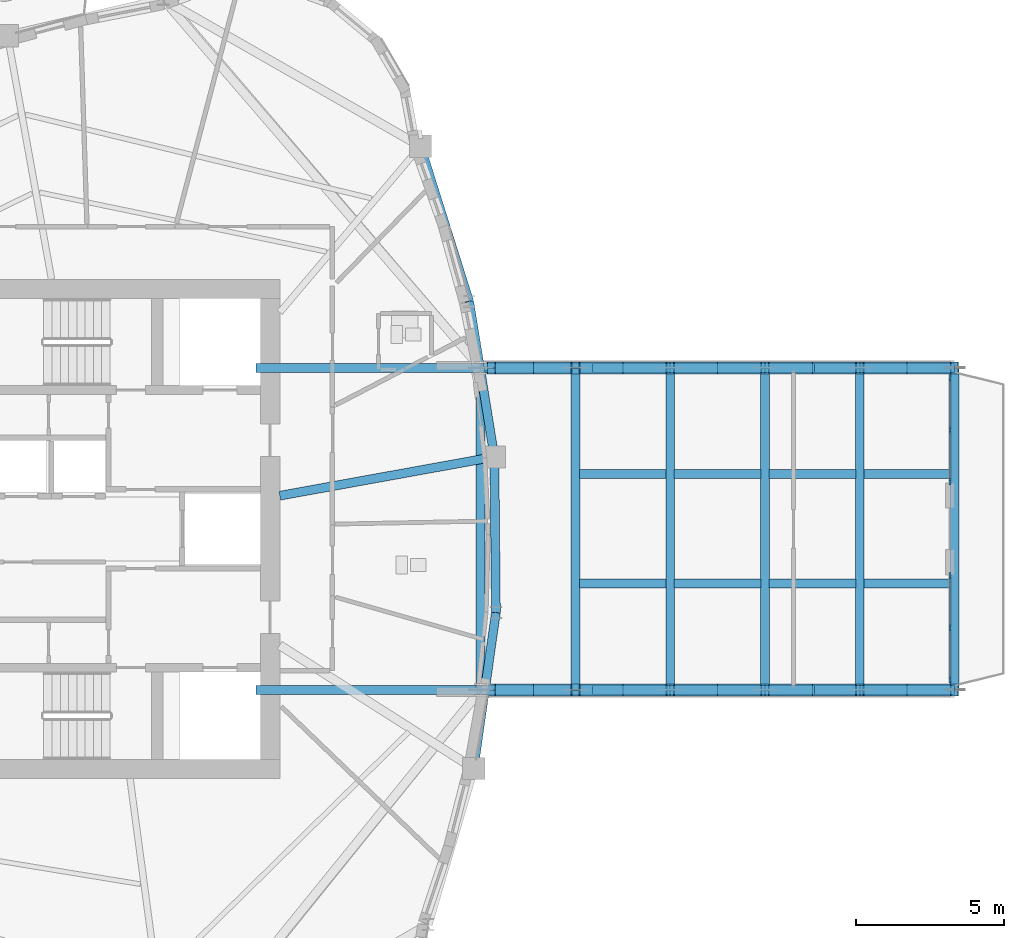
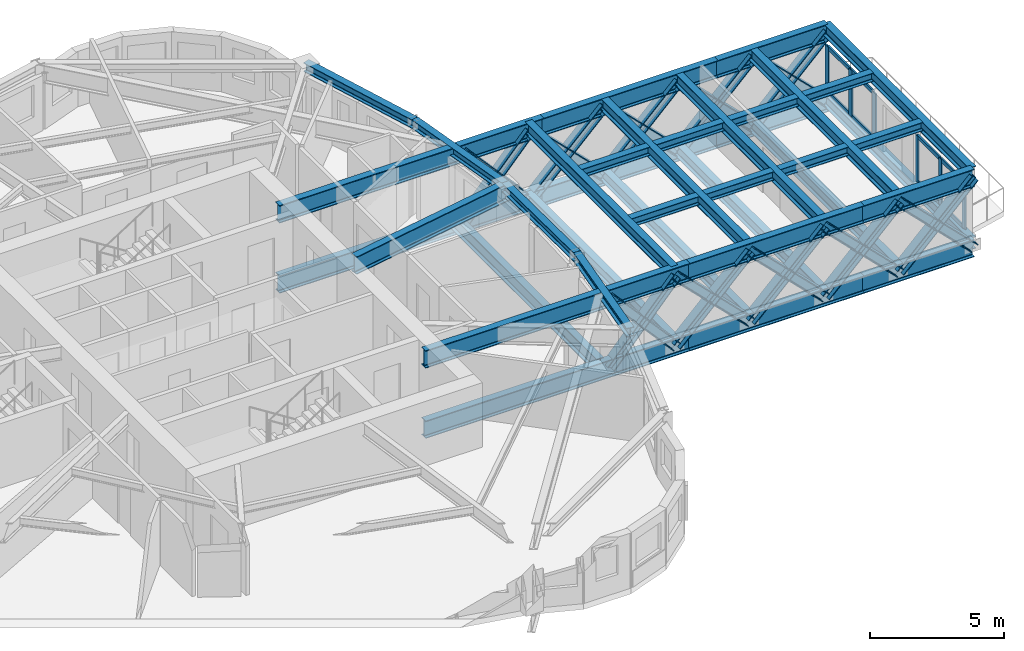
# One storey, part 2 of 13: 35 beams, 35 members, 2 elements without a shape of their own.
"""IFC4 building model written with IfcOpenShell, lengths in metres."""

from ifc_helpers import new_model, si_unit, direction, frame, origin, origin_2d, place, context, subcontext, project, spatial, rectangle, i_section, extrude, source, transform, mapped, material, layer, layer_set, material_profile, profile_set, type_object, element, aggregate, save


model = new_model("IFC4")

# Units and contexts
model_context = context("Model", 3, precision=1e-05, world=origin(), true_north=direction((0.0, 1.0)))
body_context = subcontext(model_context, "Body", "Model", "MODEL_VIEW")
ifc_project = project(units=[si_unit("LENGTHUNIT", "METRE"), si_unit("AREAUNIT", "SQUARE_METRE"), si_unit("VOLUMEUNIT", "CUBIC_METRE"), si_unit("PLANEANGLEUNIT", "RADIAN"), si_unit("MASSUNIT", "GRAM", prefix="KILO")], contexts=[model_context])

# Site, building, storey
site_placement = place(None, origin())
site = spatial("IfcSite", under=ifc_project, at=site_placement, CompositionType="ELEMENT")
building_placement = place(site_placement, origin())
building = spatial("IfcBuilding", under=site, at=building_placement, Name="Qafzar Sky-Pleat Residences", CompositionType="ELEMENT")
storey_placement = place(building_placement, frame((0.0, 0.0, 152.199951171875)))
storey = spatial("IfcBuildingStorey", under=building, at=storey_placement, Name="L45", CompositionType="ELEMENT", Elevation=152.199951171875)

# Beams
ifc_material_1 = material(Name="Steel S355", Category="steel")
ifc_material_profile_1 = material_profile(ifc_material_1, i_section(OverallWidth=0.300048828125, OverallDepth=0.39990234375, WebThickness=0.013427734375, FlangeThickness=0.02392578125, FilletRadius=0.027099609375, at=origin_2d()), Name="HEB 400")
ifc_profile_set_1 = profile_set([ifc_material_profile_1], Name="Steel S355")
beam_type_1 = type_object("IfcBeamType", Name="BM-SPAN-HEB400", PredefinedType="SPANDREL", material=ifc_profile_set_1)
shared_shape_1 = source(origin(), body_context, "Body", "SweptSolid", [
    extrude(i_section(OverallWidth=0.300048828125, OverallDepth=0.39990234375, WebThickness=0.013427734375, FlangeThickness=0.02392578125, FilletRadius=0.027099609375, at=origin_2d()), origin(), (0.0, 0.0, 1.0), 5.508544921875),
])
beam_1_placement = place(storey_placement, frame((42.964111328125, 33.7001953125, 2.733154296875), z_axis=(-0.300093956645, 0.953909648334, 0.0), x_axis=(-0.953909648334, -0.300093956645, 0.0)))
element("IfcBeam", 1, at=beam_1_placement, inside=storey, type_object=beam_type_1, Name="L45 Perimeter Spandrel Beam 12", PredefinedType="SPANDREL", context=body_context, shape_type="MappedRepresentation", body=[
    mapped(shared_shape_1, transform((0.0, 0.0, 0.0), x_axis=(1.0, 0.0, 0.0), y_axis=(0.0, 1.0, 0.0), z_axis=(0.0, 0.0, 1.0), scale=1.0)),
])
shared_shape_2 = source(origin(), body_context, "Body", "SweptSolid", [
    extrude(i_section(OverallWidth=0.300048828125, OverallDepth=0.39990234375, WebThickness=0.013427734375, FlangeThickness=0.02392578125, FilletRadius=0.027099609375, at=origin_2d()), origin(), (0.0, 0.0, 1.0), 5.330810546875),
])
for number, where, z_axis, x_axis, name in (
    (2, (43.11669921875, 17.890380859375, 2.733154296875), (0.140735277871, 0.990047262287, 0.0), (-0.990047262287, 0.140735277871, 0.0), "L45 Perimeter Spandrel Beam 9"),
    (3, (43.81591796875, 28.43798828125, 2.733154296875), (-0.159792544601, 0.987150618037, 0.0), (-0.987150618037, -0.159792544601, 0.0), "L45 Perimeter Spandrel Beam 11"),
):
    element("IfcBeam", number, at=place(storey_placement, frame(where, z_axis=z_axis, x_axis=x_axis)), inside=storey, type_object=beam_type_1, Name=name, PredefinedType="SPANDREL", context=body_context, shape_type="MappedRepresentation", body=[
        mapped(shared_shape_2, transform((0.0, 0.0, 0.0), x_axis=(1.0, 0.0, 0.0), y_axis=(0.0, 1.0, 0.0), z_axis=(0.0, 0.0, 1.0), scale=1.0)),
    ])
shared_shape_3 = source(origin(), body_context, "Body", "SweptSolid", [
    extrude(i_section(OverallWidth=0.300048828125, OverallDepth=0.39990234375, WebThickness=0.013427734375, FlangeThickness=0.02392578125, FilletRadius=0.027099609375, at=origin_2d()), origin(), (0.0, 0.0, 1.0), 5.27001953125),
])
beam_2_placement = place(storey_placement, frame((43.866943359375, 23.168212890625, 2.733154296875), z_axis=(-0.009682196128, 0.999953126441, 0.0), x_axis=(-0.999953126441, -0.009682196128, 0.0)))
element("IfcBeam", 4, at=beam_2_placement, inside=storey, type_object=beam_type_1, Name="L45 Perimeter Spandrel Beam 10", PredefinedType="SPANDREL", context=body_context, shape_type="MappedRepresentation", body=[
    mapped(shared_shape_3, transform((0.0, 0.0, 0.0), x_axis=(1.0, 0.0, 0.0), y_axis=(0.0, 1.0, 0.0), z_axis=(0.0, 0.0, 1.0), scale=1.0)),
])
ifc_material_2 = material(Name="Steel S460", Category="steel")
ifc_material_profile_2 = material_profile(ifc_material_2, i_section(OverallWidth=0.300048828125, OverallDepth=0.800048828125, WebThickness=0.017578125, FlangeThickness=0.032958984375, FilletRadius=0.030029296875, at=origin_2d()), Name="HEB 800")
ifc_profile_set_2 = profile_set([ifc_material_profile_2], Name="Steel S460")
beam_type_2 = type_object("IfcBeamType", Name="BM-CHORD-HEB800", PredefinedType="BEAM", material=ifc_profile_set_2)
shared_shape_4 = source(origin(), body_context, "Body", "SweptSolid", [
    extrude(i_section(OverallWidth=0.300048828125, OverallDepth=0.800048828125, WebThickness=0.017578125, FlangeThickness=0.032958984375, FilletRadius=0.030029296875, at=origin_2d()), origin(), (0.0, 0.0, 1.0), 7.384033203125),
])
beam_3_placement = place(storey_placement, frame((43.81591796875, 28.43798828125, 2.532958984375), z_axis=(-0.98400400276, -0.178146351496, 0.0), x_axis=(0.178146351496, -0.98400400276, 0.0)))
element("IfcBeam", 5, at=beam_3_placement, inside=storey, type_object=beam_type_2, Name="L45 Radial Floor Girder 11", PredefinedType="BEAM", context=body_context, shape_type="MappedRepresentation", body=[
    mapped(shared_shape_4, transform((0.0, 0.0, 0.0), x_axis=(1.0, 0.0, 0.0), y_axis=(0.0, 1.0, 0.0), z_axis=(0.0, 0.0, 1.0), scale=1.0)),
])
shared_shape_5 = source(origin(), body_context, "Body", "SweptSolid", [
    extrude(i_section(OverallWidth=0.300048828125, OverallDepth=0.800048828125, WebThickness=0.017578125, FlangeThickness=0.032958984375, FilletRadius=0.030029296875, at=origin_2d()), origin(), (0.0, 0.0, 1.0), 11.405029296875),
])
for number, where, z_axis, x_axis, name in (
    (6, (35.75, 31.449951171875, 2.532958984375), (1.0, 0.0, 0.0), (0.0, 1.0, 0.0), "L45 SB-4 Truss Chord L1"),
    (7, (35.75, 31.449951171875, -0.6669921875), (1.0, 0.0, 0.0), (0.0, 1.0, 0.0), "L45 SB-4 Bottom Chord L1"),
    (8, (35.75, 20.550048828125, 2.532958984375), (1.0, 0.0, 0.0), (0.0, 1.0, 0.0), "L45 SB-4 Truss Chord R1"),
    (9, (35.75, 20.550048828125, -0.6669921875), (1.0, 0.0, 0.0), (0.0, 1.0, 0.0), "L45 SB-4 Bottom Chord R1"),
):
    element("IfcBeam", number, at=place(storey_placement, frame(where, z_axis=z_axis, x_axis=x_axis)), inside=storey, type_object=beam_type_2, Name=name, PredefinedType="BEAM", context=body_context, shape_type="MappedRepresentation", body=[
        mapped(shared_shape_5, transform((0.0, 0.0, 0.0), x_axis=(1.0, 0.0, 0.0), y_axis=(0.0, 1.0, 0.0), z_axis=(0.0, 0.0, 1.0), scale=1.0)),
    ])
shared_shape_6 = source(origin(), body_context, "Body", "SweptSolid", [
    extrude(i_section(OverallWidth=0.300048828125, OverallDepth=0.800048828125, WebThickness=0.017578125, FlangeThickness=0.032958984375, FilletRadius=0.030029296875, at=origin_2d()), origin(), (0.0, 0.0, 1.0), 7.510009765625),
])
for number, where, z_axis, x_axis, name in (
    (10, (47.14501953125, 31.449951171875, 2.532958984375), (1.0, 0.0, 0.0), (0.0, 1.0, 0.0), "L45 SB-4 Truss Chord L2"),
    (11, (47.14501953125, 31.449951171875, -0.6669921875), (1.0, 0.0, 0.0), (0.0, 1.0, 0.0), "L45 SB-4 Bottom Chord L2"),
    (12, (47.14501953125, 20.550048828125, 2.532958984375), (1.0, 0.0, 0.0), (0.0, 1.0, 0.0), "L45 SB-4 Truss Chord R2"),
    (13, (47.14501953125, 20.550048828125, -0.6669921875), (1.0, 0.0, 0.0), (0.0, 1.0, 0.0), "L45 SB-4 Bottom Chord R2"),
):
    element("IfcBeam", number, at=place(storey_placement, frame(where, z_axis=z_axis, x_axis=x_axis)), inside=storey, type_object=beam_type_2, Name=name, PredefinedType="BEAM", context=body_context, shape_type="MappedRepresentation", body=[
        mapped(shared_shape_6, transform((0.0, 0.0, 0.0), x_axis=(1.0, 0.0, 0.0), y_axis=(0.0, 1.0, 0.0), z_axis=(0.0, 0.0, 1.0), scale=1.0)),
    ])
shared_shape_7 = source(origin(), body_context, "Body", "SweptSolid", [
    extrude(i_section(OverallWidth=0.300048828125, OverallDepth=0.800048828125, WebThickness=0.017578125, FlangeThickness=0.032958984375, FilletRadius=0.030029296875, at=origin_2d()), origin(), (0.0, 0.0, 1.0), 4.74755859375),
])
for number, where, z_axis, x_axis, name in (
    (14, (54.64501953125, 31.449951171875, 2.532958984375), (1.0, 0.0, 0.0), (0.0, 1.0, 0.0), "L45 SB-4 Truss Chord L3"),
    (15, (54.64501953125, 31.449951171875, -0.6669921875), (1.0, 0.0, 0.0), (0.0, 1.0, 0.0), "L45 SB-4 Bottom Chord L3"),
    (16, (54.64501953125, 20.550048828125, 2.532958984375), (1.0, 0.0, 0.0), (0.0, 1.0, 0.0), "L45 SB-4 Truss Chord R3"),
    (17, (54.64501953125, 20.550048828125, -0.6669921875), (1.0, 0.0, 0.0), (0.0, 1.0, 0.0), "L45 SB-4 Bottom Chord R3"),
):
    element("IfcBeam", number, at=place(storey_placement, frame(where, z_axis=z_axis, x_axis=x_axis)), inside=storey, type_object=beam_type_2, Name=name, PredefinedType="BEAM", context=body_context, shape_type="MappedRepresentation", body=[
        mapped(shared_shape_7, transform((0.0, 0.0, 0.0), x_axis=(1.0, 0.0, 0.0), y_axis=(0.0, 1.0, 0.0), z_axis=(0.0, 0.0, 1.0), scale=1.0)),
    ])

# Members
ifc_material_profile_3 = material_profile(ifc_material_2, i_section(OverallWidth=0.300048828125, OverallDepth=0.64990234375, WebThickness=0.01611328125, FlangeThickness=0.031005859375, FilletRadius=0.027099609375, at=origin_2d()), Name="HEB 650")
ifc_profile_set_3 = profile_set([ifc_material_profile_3], Name="Steel S460")
member_type_1 = type_object("IfcMemberType", Name="MEM-SB-CHORD", PredefinedType="CHORD", material=ifc_profile_set_3)
shared_shape_8 = source(origin(), body_context, "Body", "SweptSolid", [
    extrude(i_section(OverallWidth=0.300048828125, OverallDepth=0.64990234375, WebThickness=0.01611328125, FlangeThickness=0.031005859375, FilletRadius=0.027099609375, at=origin_2d()), origin(), (0.0, 0.0, 1.0), 10.89990234375),
])
member_1_placement = place(storey_placement, frame((43.35009765625, 31.449951171875, -0.47705078125), z_axis=(0.0, -1.0, 0.0), x_axis=(1.0, 0.0, 0.0)))
element("IfcMember", 18, at=member_1_placement, inside=storey, type_object=member_type_1, Name="L45 SB-4 Truss Root Tie Chord", PredefinedType="CHORD", context=body_context, shape_type="MappedRepresentation", body=[
    mapped(shared_shape_8, transform((0.0, 0.0, 0.0), x_axis=(1.0, 0.0, 0.0), y_axis=(0.0, 1.0, 0.0), z_axis=(0.0, 0.0, 1.0), scale=1.0)),
])
ifc_material_profile_4 = material_profile(ifc_material_2, i_section(OverallWidth=0.40087890625, OverallDepth=0.39892578125, WebThickness=0.02294921875, FlangeThickness=0.035888671875, FilletRadius=0.014892578125, at=origin_2d()), Name="HD 400x314")
ifc_profile_set_4 = profile_set([ifc_material_profile_4], Name="Steel S460")
member_type_2 = type_object("IfcMemberType", Name="MEM-SB-DIAG", PredefinedType="BRACE", material=ifc_profile_set_4)
shared_shape_9 = source(origin(), body_context, "Body", "SweptSolid", [
    extrude(i_section(OverallWidth=0.40087890625, OverallDepth=0.39892578125, WebThickness=0.02294921875, FlangeThickness=0.035888671875, FilletRadius=0.014892578125, at=origin_2d()), origin(), (0.0, 0.0, 1.0), 4.2841796875),
])
for number, where, z_axis, x_axis, name in (
    (19, (43.7099609375, 31.449951171875, -0.6669921875), (0.664915441782, 0.0, 0.746918640335), (0.0, 1.0, 0.0), "L45 SB-4 Truss Web Diagonal L1A"),
    (20, (43.7099609375, 31.449951171875, 2.532958984375), (0.664915441782, 0.0, -0.746918640335), (0.0, 1.0, 0.0), "L45 SB-4 Truss Web Diagonal L1B"),
    (21, (43.7099609375, 20.550048828125, -0.6669921875), (0.664915441782, 0.0, 0.746918640335), (0.0, 1.0, 0.0), "L45 SB-4 Truss Web Diagonal R1A"),
    (22, (43.7099609375, 20.550048828125, 2.532958984375), (0.664915441782, 0.0, -0.746918640335), (0.0, 1.0, 0.0), "L45 SB-4 Truss Web Diagonal R1B"),
):
    element("IfcMember", number, at=place(storey_placement, frame(where, z_axis=z_axis, x_axis=x_axis)), inside=storey, type_object=member_type_2, Name=name, PredefinedType="BRACE", context=body_context, shape_type="MappedRepresentation", body=[
        mapped(shared_shape_9, transform((0.0, 0.0, 0.0), x_axis=(1.0, 0.0, 0.0), y_axis=(0.0, 1.0, 0.0), z_axis=(0.0, 0.0, 1.0), scale=1.0)),
    ])
shared_shape_10 = source(origin(), body_context, "Body", "SweptSolid", [
    extrude(i_section(OverallWidth=0.40087890625, OverallDepth=0.39892578125, WebThickness=0.02294921875, FlangeThickness=0.035888671875, FilletRadius=0.014892578125, at=origin_2d()), origin(), (0.0, 0.0, 1.0), 4.531494140625),
])
for number, where, z_axis, x_axis, name in (
    (23, (46.55859375, 31.449951171875, -0.6669921875), (0.708048996721, 0.0, 0.706163308479), (0.0, 1.0, 0.0), "L45 SB-4 Truss Web Diagonal L2A"),
    (24, (46.55859375, 31.449951171875, 2.532958984375), (0.708048996721, 0.0, -0.706163308479), (0.0, 1.0, 0.0), "L45 SB-4 Truss Web Diagonal L2B"),
    (25, (49.76708984375, 31.449951171875, -0.6669921875), (0.708048996721, 0.0, 0.706163308479), (0.0, 1.0, 0.0), "L45 SB-4 Truss Web Diagonal L3A"),
    (26, (49.76708984375, 31.449951171875, 2.532958984375), (0.708048996721, 0.0, -0.706163308479), (0.0, 1.0, 0.0), "L45 SB-4 Truss Web Diagonal L3B"),
    (27, (52.9755859375, 31.449951171875, -0.6669921875), (0.708048996721, 0.0, 0.706163308479), (0.0, 1.0, 0.0), "L45 SB-4 Truss Web Diagonal L4A"),
    (28, (52.9755859375, 31.449951171875, 2.532958984375), (0.708048996721, 0.0, -0.706163308479), (0.0, 1.0, 0.0), "L45 SB-4 Truss Web Diagonal L4B"),
    (29, (56.18408203125, 31.449951171875, -0.6669921875), (0.708048996721, 0.0, 0.706163308479), (0.0, 1.0, 0.0), "L45 SB-4 Truss Web Diagonal L5A"),
    (30, (56.18408203125, 31.449951171875, 2.532958984375), (0.708048996721, 0.0, -0.706163308479), (0.0, 1.0, 0.0), "L45 SB-4 Truss Web Diagonal L5B"),
    (31, (46.55859375, 20.550048828125, -0.6669921875), (0.708048996721, 0.0, 0.706163308479), (0.0, 1.0, 0.0), "L45 SB-4 Truss Web Diagonal R2A"),
    (32, (46.55859375, 20.550048828125, 2.532958984375), (0.708048996721, 0.0, -0.706163308479), (0.0, 1.0, 0.0), "L45 SB-4 Truss Web Diagonal R2B"),
    (33, (49.76708984375, 20.550048828125, -0.6669921875), (0.708048996721, 0.0, 0.706163308479), (0.0, 1.0, 0.0), "L45 SB-4 Truss Web Diagonal R3A"),
    (34, (49.76708984375, 20.550048828125, 2.532958984375), (0.708048996721, 0.0, -0.706163308479), (0.0, 1.0, 0.0), "L45 SB-4 Truss Web Diagonal R3B"),
    (35, (52.9755859375, 20.550048828125, -0.6669921875), (0.708048996721, 0.0, 0.706163308479), (0.0, 1.0, 0.0), "L45 SB-4 Truss Web Diagonal R4A"),
    (36, (52.9755859375, 20.550048828125, 2.532958984375), (0.708048996721, 0.0, -0.706163308479), (0.0, 1.0, 0.0), "L45 SB-4 Truss Web Diagonal R4B"),
    (37, (56.18408203125, 20.550048828125, -0.6669921875), (0.708048996721, 0.0, 0.706163308479), (0.0, 1.0, 0.0), "L45 SB-4 Truss Web Diagonal R5A"),
    (38, (56.18408203125, 20.550048828125, 2.532958984375), (0.708048996721, 0.0, -0.706163308479), (0.0, 1.0, 0.0), "L45 SB-4 Truss Web Diagonal R5B"),
):
    element("IfcMember", number, at=place(storey_placement, frame(where, z_axis=z_axis, x_axis=x_axis)), inside=storey, type_object=member_type_2, Name=name, PredefinedType="BRACE", context=body_context, shape_type="MappedRepresentation", body=[
        mapped(shared_shape_10, transform((0.0, 0.0, 0.0), x_axis=(1.0, 0.0, 0.0), y_axis=(0.0, 1.0, 0.0), z_axis=(0.0, 0.0, 1.0), scale=1.0)),
    ])

# Beams
ifc_material_profile_5 = material_profile(ifc_material_1, i_section(OverallWidth=0.300048828125, OverallDepth=0.550048828125, WebThickness=0.014892578125, FlangeThickness=0.029052734375, FilletRadius=0.027099609375, at=origin_2d()), Name="HEB 550")
ifc_profile_set_5 = profile_set([ifc_material_profile_5], Name="Steel S355")
beam_type_3 = type_object("IfcBeamType", Name="BM-GIRD-HEB550", PredefinedType="BEAM", material=ifc_profile_set_5)
shared_shape_11 = source(origin(), body_context, "Body", "SweptSolid", [
    extrude(i_section(OverallWidth=0.300048828125, OverallDepth=0.550048828125, WebThickness=0.014892578125, FlangeThickness=0.029052734375, FilletRadius=0.027099609375, at=origin_2d()), origin(), (0.0, 0.0, 1.0), 10.89990234375),
])
for number, where, z_axis, x_axis, name in (
    (39, (46.55859375, 31.449951171875, 2.657958984375), (0.0, -1.0, 0.0), (1.0, 0.0, 0.0), "L45 SB-4 Transverse Girder 1"),
    (40, (46.55859375, 31.449951171875, -0.5419921875), (0.0, -1.0, 0.0), (1.0, 0.0, 0.0), "L45 SB-4 Bottom Transverse Girder 1"),
    (41, (49.76708984375, 31.449951171875, 2.657958984375), (0.0, -1.0, 0.0), (1.0, 0.0, 0.0), "L45 SB-4 Transverse Girder 2"),
    (42, (49.76708984375, 31.449951171875, -0.5419921875), (0.0, -1.0, 0.0), (1.0, 0.0, 0.0), "L45 SB-4 Bottom Transverse Girder 2"),
    (43, (52.9755859375, 31.449951171875, 2.657958984375), (0.0, -1.0, 0.0), (1.0, 0.0, 0.0), "L45 SB-4 Transverse Girder 3"),
    (44, (52.9755859375, 31.449951171875, -0.5419921875), (0.0, -1.0, 0.0), (1.0, 0.0, 0.0), "L45 SB-4 Bottom Transverse Girder 3"),
    (45, (56.18408203125, 31.449951171875, 2.657958984375), (0.0, -1.0, 0.0), (1.0, 0.0, 0.0), "L45 SB-4 Transverse Girder 4"),
    (46, (56.18408203125, 31.449951171875, -0.5419921875), (0.0, -1.0, 0.0), (1.0, 0.0, 0.0), "L45 SB-4 Bottom Transverse Girder 4"),
    (47, (59.392578125, 31.449951171875, 2.657958984375), (0.0, -1.0, 0.0), (1.0, 0.0, 0.0), "L45 SB-4 Transverse Girder 5"),
    (48, (59.392578125, 31.449951171875, -0.5419921875), (0.0, -1.0, 0.0), (1.0, 0.0, 0.0), "L45 SB-4 Bottom Transverse Girder 5"),
):
    element("IfcBeam", number, at=place(storey_placement, frame(where, z_axis=z_axis, x_axis=x_axis)), inside=storey, type_object=beam_type_3, Name=name, PredefinedType="BEAM", context=body_context, shape_type="MappedRepresentation", body=[
        mapped(shared_shape_11, transform((0.0, 0.0, 0.0), x_axis=(1.0, 0.0, 0.0), y_axis=(0.0, 1.0, 0.0), z_axis=(0.0, 0.0, 1.0), scale=1.0)),
    ])
ifc_material_profile_6 = material_profile(ifc_material_1, i_section(OverallWidth=0.300048828125, OverallDepth=0.389892578125, WebThickness=0.010986328125, FlangeThickness=0.01904296875, FilletRadius=0.027099609375, at=origin_2d()), Name="HEA 400")
ifc_profile_set_6 = profile_set([ifc_material_profile_6], Name="Steel S355")
beam_type_4 = type_object("IfcBeamType", Name="BM-SBJ-HEA400", PredefinedType="JOIST", material=ifc_profile_set_6)
shared_shape_12 = source(origin(), body_context, "Body", "SweptSolid", [
    extrude(i_section(OverallWidth=0.300048828125, OverallDepth=0.389892578125, WebThickness=0.010986328125, FlangeThickness=0.01904296875, FilletRadius=0.027099609375, at=origin_2d()), origin(), (0.0, 0.0, 1.0), 2.9384765625),
])
for number, where, z_axis, x_axis, name in (
    (49, (46.693603515625, 24.14697265625, 2.738037109375), (1.0, 0.0, 0.0), (0.0, 1.0, 0.0), "L45 SB-4 Sky-Bar Secondary Deck Joist 2.1"),
    (50, (46.693603515625, 27.85302734375, 2.738037109375), (1.0, 0.0, 0.0), (0.0, 1.0, 0.0), "L45 SB-4 Sky-Bar Secondary Deck Joist 2.2"),
    (51, (49.902099609375, 24.14697265625, 2.738037109375), (1.0, 0.0, 0.0), (0.0, 1.0, 0.0), "L45 SB-4 Sky-Bar Secondary Deck Joist 3.1"),
    (52, (49.902099609375, 27.85302734375, 2.738037109375), (1.0, 0.0, 0.0), (0.0, 1.0, 0.0), "L45 SB-4 Sky-Bar Secondary Deck Joist 3.2"),
    (53, (53.110595703125, 24.14697265625, 2.738037109375), (1.0, 0.0, 0.0), (0.0, 1.0, 0.0), "L45 SB-4 Sky-Bar Secondary Deck Joist 4.1"),
    (54, (53.110595703125, 27.85302734375, 2.738037109375), (1.0, 0.0, 0.0), (0.0, 1.0, 0.0), "L45 SB-4 Sky-Bar Secondary Deck Joist 4.2"),
    (55, (56.319091796875, 24.14697265625, 2.738037109375), (1.0, 0.0, 0.0), (0.0, 1.0, 0.0), "L45 SB-4 Sky-Bar Secondary Deck Joist 5.1"),
    (56, (56.319091796875, 27.85302734375, 2.738037109375), (1.0, 0.0, 0.0), (0.0, 1.0, 0.0), "L45 SB-4 Sky-Bar Secondary Deck Joist 5.2"),
):
    element("IfcBeam", number, at=place(storey_placement, frame(where, z_axis=z_axis, x_axis=x_axis)), inside=storey, type_object=beam_type_4, Name=name, PredefinedType="JOIST", context=body_context, shape_type="MappedRepresentation", body=[
        mapped(shared_shape_12, transform((0.0, 0.0, 0.0), x_axis=(1.0, 0.0, 0.0), y_axis=(0.0, 1.0, 0.0), z_axis=(0.0, 0.0, 1.0), scale=1.0)),
    ])

# Curtain wall, members
ifc_material_3 = material(Name="Anodised bronze aluminium framing", Category="aluminium")
ifc_layer_1 = layer(ifc_material_3, 0.239990234375)
ifc_layer_set_1 = layer_set([ifc_layer_1], Name="Anodised bronze aluminium framing")
curtain_wall_type_1 = type_object("IfcCurtainWallType", Name="CW-SYS-02", PredefinedType="NOTDEFINED", material=ifc_layer_set_1)
curtain_wall_1_placement = place(storey_placement, origin())
curtain_wall_1 = element("IfcCurtainWall", 57, at=curtain_wall_1_placement, inside=storey, type_object=curtain_wall_type_1, Name="L45 CW-02 Curtain Wall CW-L45-SB-4-PROW-L", PredefinedType="NOTDEFINED")
ifc_material_4 = material(Name="Anodised bronze aluminium", Category="aluminium")
ifc_material_profile_7 = material_profile(ifc_material_4, rectangle(XDim=0.074951171875, YDim=0.239990234375, at=origin_2d()), Name="ALU MULLION 75x240")
ifc_profile_set_7 = profile_set([ifc_material_profile_7], Name="Anodised bronze aluminium")
member_type_3 = type_object("IfcMemberType", Name="CWM-02", PredefinedType="MULLION", material=ifc_profile_set_7)
shared_shape_13 = source(origin(), body_context, "Body", "SweptSolid", [
    extrude(rectangle(XDim=0.074951171875, YDim=0.239990234375, at=origin_2d()), origin(), (0.0, 0.0, 1.0), 2.114990234375),
])
member_2_placement = place(storey_placement, frame((59.24267578125, 31.1025390625, 0.0), z_axis=(0.0, 0.0, 1.0), x_axis=(1.0, 0.0, 0.0)))
member_2 = element("IfcMember", 58, at=member_2_placement, type_object=member_type_3, Name="CW-02 mullion 1", PredefinedType="MULLION", context=body_context, shape_type="MappedRepresentation", body=[
    mapped(shared_shape_13, transform((0.0, 0.0, 0.0), x_axis=(1.0, 0.0, 0.0), y_axis=(0.0, 1.0, 0.0), z_axis=(0.0, 0.0, 1.0), scale=1.0)),
])
member_3_placement = place(storey_placement, frame((59.24267578125, 29.35009765625, 0.0), z_axis=(0.0, 0.0, 1.0), x_axis=(1.0, 0.0, 0.0)))
member_3 = element("IfcMember", 59, at=member_3_placement, type_object=member_type_3, Name="CW-02 mullion 2", PredefinedType="MULLION", context=body_context, shape_type="MappedRepresentation", body=[
    mapped(shared_shape_13, transform((0.0, 0.0, 0.0), x_axis=(1.0, 0.0, 0.0), y_axis=(0.0, 1.0, 0.0), z_axis=(0.0, 0.0, 1.0), scale=1.0)),
])
member_4_placement = place(storey_placement, frame((59.24267578125, 27.597412109375, 0.0), z_axis=(0.0, 0.0, 1.0), x_axis=(1.0, 0.0, 0.0)))
member_4 = element("IfcMember", 60, at=member_4_placement, type_object=member_type_3, Name="CW-02 mullion 3", PredefinedType="MULLION", context=body_context, shape_type="MappedRepresentation", body=[
    mapped(shared_shape_13, transform((0.0, 0.0, 0.0), x_axis=(1.0, 0.0, 0.0), y_axis=(0.0, 1.0, 0.0), z_axis=(0.0, 0.0, 1.0), scale=1.0)),
])

ifc_layer_2 = layer(ifc_material_3, 0.219970703125)
ifc_layer_set_2 = layer_set([ifc_layer_2], Name="Anodised bronze aluminium framing")
curtain_wall_type_2 = type_object("IfcCurtainWallType", Name="CW-SYS-03", PredefinedType="NOTDEFINED", material=ifc_layer_set_2)
curtain_wall_2_placement = place(storey_placement, origin())
curtain_wall_2 = element("IfcCurtainWall", 61, at=curtain_wall_2_placement, inside=storey, type_object=curtain_wall_type_2, Name="L45 CW-03 Curtain Wall CW-L45-SB-4-PROW-R", PredefinedType="NOTDEFINED")
ifc_material_profile_8 = material_profile(ifc_material_4, rectangle(XDim=0.070068359375, YDim=0.219970703125, at=origin_2d()), Name="ALU MULLION 70x220")
ifc_profile_set_8 = profile_set([ifc_material_profile_8], Name="Anodised bronze aluminium")
member_type_4 = type_object("IfcMemberType", Name="CWM-03", PredefinedType="MULLION", material=ifc_profile_set_8)
shared_shape_14 = source(origin(), body_context, "Body", "SweptSolid", [
    extrude(rectangle(XDim=0.070068359375, YDim=0.219970703125, at=origin_2d()), origin(), (0.0, 0.0, 1.0), 2.114990234375),
])
member_5_placement = place(storey_placement, frame((59.24267578125, 24.405029296875, 0.0), z_axis=(0.0, 0.0, 1.0), x_axis=(1.0, 0.0, 0.0)))
member_5 = element("IfcMember", 62, at=member_5_placement, type_object=member_type_4, Name="CW-03 mullion 1", PredefinedType="MULLION", context=body_context, shape_type="MappedRepresentation", body=[
    mapped(shared_shape_14, transform((0.0, 0.0, 0.0), x_axis=(1.0, 0.0, 0.0), y_axis=(0.0, 1.0, 0.0), z_axis=(0.0, 0.0, 1.0), scale=1.0)),
])
member_6_placement = place(storey_placement, frame((59.24267578125, 22.64990234375, 0.0), z_axis=(0.0, 0.0, 1.0), x_axis=(1.0, 0.0, 0.0)))
member_6 = element("IfcMember", 63, at=member_6_placement, type_object=member_type_4, Name="CW-03 mullion 2", PredefinedType="MULLION", context=body_context, shape_type="MappedRepresentation", body=[
    mapped(shared_shape_14, transform((0.0, 0.0, 0.0), x_axis=(1.0, 0.0, 0.0), y_axis=(0.0, 1.0, 0.0), z_axis=(0.0, 0.0, 1.0), scale=1.0)),
])
member_7_placement = place(storey_placement, frame((59.24267578125, 20.89501953125, 0.0), z_axis=(0.0, 0.0, 1.0), x_axis=(1.0, 0.0, 0.0)))
member_7 = element("IfcMember", 64, at=member_7_placement, type_object=member_type_4, Name="CW-03 mullion 3", PredefinedType="MULLION", context=body_context, shape_type="MappedRepresentation", body=[
    mapped(shared_shape_14, transform((0.0, 0.0, 0.0), x_axis=(1.0, 0.0, 0.0), y_axis=(0.0, 1.0, 0.0), z_axis=(0.0, 0.0, 1.0), scale=1.0)),
])

# Member
ifc_material_profile_9 = material_profile(ifc_material_4, rectangle(XDim=0.074951171875, YDim=0.179931640625, at=origin_2d()), Name="ALU TRANSOM 75x180")
ifc_profile_set_9 = profile_set([ifc_material_profile_9], Name="Anodised bronze aluminium")
member_type_5 = type_object("IfcMemberType", Name="CWT-02", PredefinedType="USERDEFINED", material=ifc_profile_set_9)
shared_shape_15 = source(origin(), body_context, "Body", "SweptSolid", [
    extrude(rectangle(XDim=0.074951171875, YDim=0.179931640625, at=origin_2d()), origin(), (0.0, 0.0, 1.0), 1.677490234375),
])
member_8_placement = place(storey_placement, frame((59.24267578125, 31.06494140625, 0.03759765625), z_axis=(0.0, -1.0, 0.0), x_axis=(1.0, 0.0, 0.0)))
member_8 = element("IfcMember", 65, at=member_8_placement, type_object=member_type_5, Name="CW-02 transom 1.1", ObjectType="TRANSOM", PredefinedType="USERDEFINED", context=body_context, shape_type="MappedRepresentation", body=[
    mapped(shared_shape_15, transform((0.0, 0.0, 0.0), x_axis=(1.0, 0.0, 0.0), y_axis=(0.0, 1.0, 0.0), z_axis=(0.0, 0.0, 1.0), scale=1.0)),
])

member_9_placement = place(storey_placement, frame((59.24267578125, 31.06494140625, 2.07763671875), z_axis=(0.0, -1.0, 0.0), x_axis=(1.0, 0.0, 0.0)))
member_9 = element("IfcMember", 66, at=member_9_placement, type_object=member_type_5, Name="CW-02 transom 1.2", ObjectType="TRANSOM", PredefinedType="USERDEFINED", context=body_context, shape_type="MappedRepresentation", body=[
    mapped(shared_shape_15, transform((0.0, 0.0, 0.0), x_axis=(1.0, 0.0, 0.0), y_axis=(0.0, 1.0, 0.0), z_axis=(0.0, 0.0, 1.0), scale=1.0)),
])

member_10_placement = place(storey_placement, frame((59.24267578125, 29.3125, 0.03759765625), z_axis=(0.0, -1.0, 0.0), x_axis=(1.0, 0.0, 0.0)))
member_10 = element("IfcMember", 67, at=member_10_placement, type_object=member_type_5, Name="CW-02 transom 2.1", ObjectType="TRANSOM", PredefinedType="USERDEFINED", context=body_context, shape_type="MappedRepresentation", body=[
    mapped(shared_shape_15, transform((0.0, 0.0, 0.0), x_axis=(1.0, 0.0, 0.0), y_axis=(0.0, 1.0, 0.0), z_axis=(0.0, 0.0, 1.0), scale=1.0)),
])

member_11_placement = place(storey_placement, frame((59.24267578125, 29.3125, 2.07763671875), z_axis=(0.0, -1.0, 0.0), x_axis=(1.0, 0.0, 0.0)))
member_11 = element("IfcMember", 68, at=member_11_placement, type_object=member_type_5, Name="CW-02 transom 2.2", ObjectType="TRANSOM", PredefinedType="USERDEFINED", context=body_context, shape_type="MappedRepresentation", body=[
    mapped(shared_shape_15, transform((0.0, 0.0, 0.0), x_axis=(1.0, 0.0, 0.0), y_axis=(0.0, 1.0, 0.0), z_axis=(0.0, 0.0, 1.0), scale=1.0)),
])

aggregate(curtain_wall_1, [member_2, member_3, member_4, member_8, member_9, member_10, member_11])

ifc_material_profile_10 = material_profile(ifc_material_4, rectangle(XDim=0.070068359375, YDim=0.1650390625, at=origin_2d()), Name="ALU TRANSOM 70x165")
ifc_profile_set_10 = profile_set([ifc_material_profile_10], Name="Anodised bronze aluminium")
member_type_6 = type_object("IfcMemberType", Name="CWT-03", PredefinedType="USERDEFINED", material=ifc_profile_set_10)
shared_shape_16 = source(origin(), body_context, "Body", "SweptSolid", [
    extrude(rectangle(XDim=0.070068359375, YDim=0.1650390625, at=origin_2d()), origin(), (0.0, 0.0, 1.0), 1.68505859375),
])
member_12_placement = place(storey_placement, frame((59.24267578125, 24.3701171875, 0.03515625), z_axis=(0.0, -1.0, 0.0), x_axis=(1.0, 0.0, 0.0)))
member_12 = element("IfcMember", 69, at=member_12_placement, type_object=member_type_6, Name="CW-03 transom 1.1", ObjectType="TRANSOM", PredefinedType="USERDEFINED", context=body_context, shape_type="MappedRepresentation", body=[
    mapped(shared_shape_16, transform((0.0, 0.0, 0.0), x_axis=(1.0, 0.0, 0.0), y_axis=(0.0, 1.0, 0.0), z_axis=(0.0, 0.0, 1.0), scale=1.0)),
])

member_13_placement = place(storey_placement, frame((59.24267578125, 24.3701171875, 2.080078125), z_axis=(0.0, -1.0, 0.0), x_axis=(1.0, 0.0, 0.0)))
member_13 = element("IfcMember", 70, at=member_13_placement, type_object=member_type_6, Name="CW-03 transom 1.2", ObjectType="TRANSOM", PredefinedType="USERDEFINED", context=body_context, shape_type="MappedRepresentation", body=[
    mapped(shared_shape_16, transform((0.0, 0.0, 0.0), x_axis=(1.0, 0.0, 0.0), y_axis=(0.0, 1.0, 0.0), z_axis=(0.0, 0.0, 1.0), scale=1.0)),
])

member_14_placement = place(storey_placement, frame((59.24267578125, 22.614990234375, 0.03515625), z_axis=(0.0, -1.0, 0.0), x_axis=(1.0, 0.0, 0.0)))
member_14 = element("IfcMember", 71, at=member_14_placement, type_object=member_type_6, Name="CW-03 transom 2.1", ObjectType="TRANSOM", PredefinedType="USERDEFINED", context=body_context, shape_type="MappedRepresentation", body=[
    mapped(shared_shape_16, transform((0.0, 0.0, 0.0), x_axis=(1.0, 0.0, 0.0), y_axis=(0.0, 1.0, 0.0), z_axis=(0.0, 0.0, 1.0), scale=1.0)),
])

member_15_placement = place(storey_placement, frame((59.24267578125, 22.614990234375, 2.080078125), z_axis=(0.0, -1.0, 0.0), x_axis=(1.0, 0.0, 0.0)))
member_15 = element("IfcMember", 72, at=member_15_placement, type_object=member_type_6, Name="CW-03 transom 2.2", ObjectType="TRANSOM", PredefinedType="USERDEFINED", context=body_context, shape_type="MappedRepresentation", body=[
    mapped(shared_shape_16, transform((0.0, 0.0, 0.0), x_axis=(1.0, 0.0, 0.0), y_axis=(0.0, 1.0, 0.0), z_axis=(0.0, 0.0, 1.0), scale=1.0)),
])

aggregate(curtain_wall_2, [member_5, member_6, member_7, member_12, member_13, member_14, member_15])

save(model, "model.ifc")
